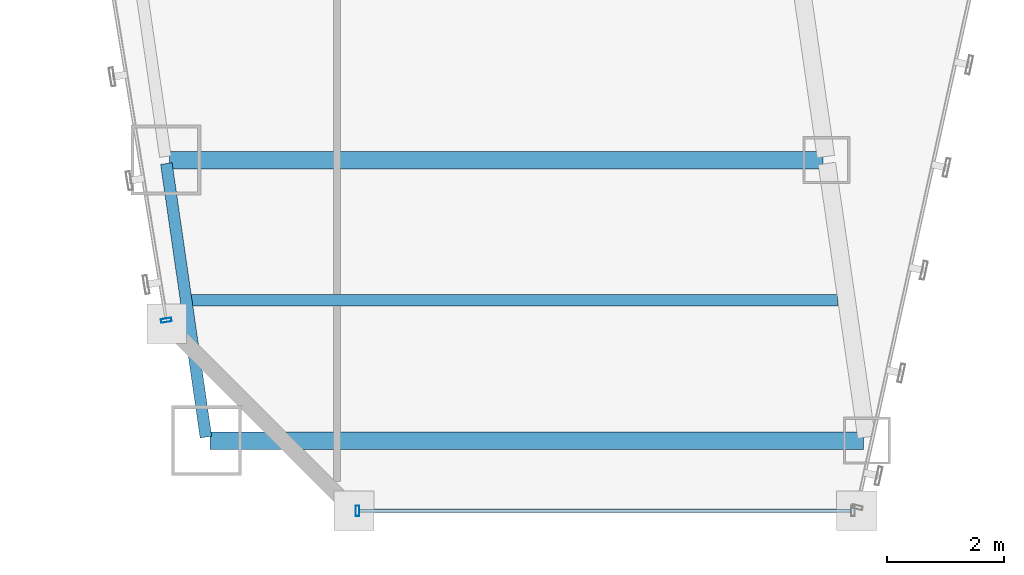
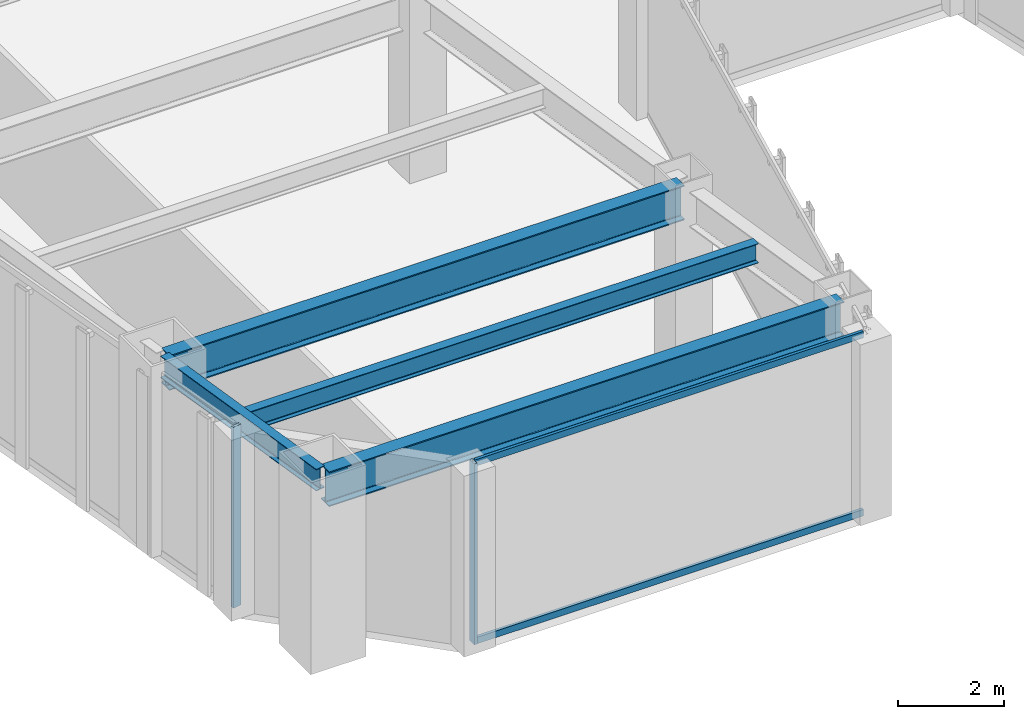
# One storey, part 4 of 47: 4 beams, 4 members, 2 elements without a shape of their own.
"""IFC4 building model written with IfcOpenShell, lengths in metres."""

from ifc_helpers import new_model, si_unit, direction, frame, origin, origin_2d, place, context, subcontext, project, spatial, hollow_rectangle, i_section, extrude, material, material_profile, profile_set, type_object, element, aggregate, save


model = new_model("IFC4")

# Units and contexts
model_context = context("Model", 3, precision=1e-05, world=origin(), true_north=direction((0.0, 1.0)))
body_context = subcontext(model_context, "Body", "Model", "MODEL_VIEW")
ifc_project = project(units=[si_unit("LENGTHUNIT", "METRE"), si_unit("AREAUNIT", "SQUARE_METRE"), si_unit("VOLUMEUNIT", "CUBIC_METRE"), si_unit("PLANEANGLEUNIT", "RADIAN"), si_unit("MASSUNIT", "GRAM", prefix="KILO")], contexts=[model_context])

# Site, building, storey
site_placement = place(None, origin())
site = spatial("IfcSite", under=ifc_project, at=site_placement, CompositionType="ELEMENT")
building_placement = place(site_placement, origin())
building = spatial("IfcBuilding", under=site, at=building_placement, Name="Saevonmaru Cultural Tower", CompositionType="ELEMENT")
storey_placement = place(building_placement, frame((0.0, 0.0, 60.39990234375)))
storey = spatial("IfcBuildingStorey", under=building, at=storey_placement, Name="L12", CompositionType="ELEMENT", Elevation=60.39990234375)

# Beams
ifc_material_1 = material(Name="Steel SM420", Category="steel")
ifc_material_profile_1 = material_profile(ifc_material_1, i_section(OverallWidth=0.300048828125, OverallDepth=0.800048828125, WebThickness=0.013916015625, FlangeThickness=0.02587890625, FilletRadius=0.028076171875, at=origin_2d()), Name="H-800x300x14x26")
ifc_profile_set_1 = profile_set([ifc_material_profile_1], Name="Steel SM420")
beam_type_1 = type_object("IfcBeamType", Name="BM-G-H800", PredefinedType="BEAM", material=ifc_profile_set_1)
for number, where, z_axis, x_axis, name in (
    (1, (12.537109375, 3.199951171875, 3.75), (1.0, 0.0, 0.0), (0.0, 1.0, 0.0), "L12 West Wing Transverse Girder 1"),
    (2, (11.843017578125, 8.0, 3.75), (1.0, 0.0, 0.0), (0.0, 1.0, 0.0), "L12 West Wing Transverse Girder 2"),
):
    element("IfcBeam", number, at=place(storey_placement, frame(where, z_axis=z_axis, x_axis=x_axis)), inside=storey, type_object=beam_type_1, Name=name, PredefinedType="BEAM", context=body_context, shape_type="SweptSolid", body=[
        extrude(i_section(OverallWidth=0.300048828125, OverallDepth=0.800048828125, WebThickness=0.013916015625, FlangeThickness=0.02587890625, FilletRadius=0.028076171875, at=origin_2d()), origin(), (0.0, 0.0, 1.0), 11.179931640625),
    ])
ifc_material_2 = material(Name="Steel SM355", Category="steel")
ifc_material_profile_2 = material_profile(ifc_material_2, i_section(OverallWidth=0.199951171875, OverallDepth=0.449951171875, WebThickness=0.009033203125, FlangeThickness=0.013916015625, FilletRadius=0.01806640625, at=origin_2d()), Name="H-450x200x9x14")
ifc_profile_set_2 = profile_set([ifc_material_profile_2], Name="Steel SM355")
beam_type_2 = type_object("IfcBeamType", Name="BM-J-H450", PredefinedType="JOIST", material=ifc_profile_set_2)
beam_1_placement = place(storey_placement, frame((12.18994140625, 5.60009765625, 3.925048828125), z_axis=(1.0, 0.0, 0.0), x_axis=(0.0, 1.0, 0.0)))
element("IfcBeam", 3, at=beam_1_placement, inside=storey, type_object=beam_type_2, Name="L12 West Wing Floor Joist 1", PredefinedType="JOIST", context=body_context, shape_type="SweptSolid", body=[
    extrude(i_section(OverallWidth=0.199951171875, OverallDepth=0.449951171875, WebThickness=0.009033203125, FlangeThickness=0.013916015625, FilletRadius=0.01806640625, at=origin_2d()), origin(), (0.0, 0.0, 1.0), 11.08203125),
])
ifc_material_profile_3 = material_profile(ifc_material_2, i_section(OverallWidth=0.199951171875, OverallDepth=0.5, WebThickness=0.010009765625, FlangeThickness=0.01611328125, FilletRadius=0.02001953125, at=origin_2d()), Name="H-500x200x10x16")
ifc_profile_set_3 = profile_set([ifc_material_profile_3], Name="Steel SM355")
beam_type_3 = type_object("IfcBeamType", Name="BM-SP-H500", PredefinedType="SPANDREL", material=ifc_profile_set_3)
beam_2_placement = place(storey_placement, frame((12.468505859375, 3.259521484375, 3.900146484375), z_axis=(-0.14313379491, 0.989703347855, 0.0), x_axis=(-0.989703347855, -0.14313379491, 0.0)))
element("IfcBeam", 4, at=beam_2_placement, inside=storey, type_object=beam_type_3, Name="L12 West Splayed Spandrel 1", PredefinedType="SPANDREL", context=body_context, shape_type="SweptSolid", body=[
    extrude(i_section(OverallWidth=0.199951171875, OverallDepth=0.5, WebThickness=0.010009765625, FlangeThickness=0.01611328125, FilletRadius=0.02001953125, at=origin_2d()), origin(), (0.0, 0.0, 1.0), 4.729736328125),
])

# Curtain wall, member
ifc_material_3 = material(Name="Satin Bronze Anodised Aluminium", Category="aluminium")
curtain_wall_type = type_object("IfcCurtainWallType", Name="CW-TYP-A", PredefinedType="NOTDEFINED", material=ifc_material_3)
curtain_wall_1_placement = place(storey_placement, origin())
curtain_wall_1 = element("IfcCurtainWall", 5, at=curtain_wall_1_placement, inside=storey, type_object=curtain_wall_type, Name="L12 Unitised Curtain Wall E2", PredefinedType="NOTDEFINED")
ifc_material_profile_4 = material_profile(ifc_material_3, hollow_rectangle(XDim=0.06494140625, YDim=0.179931640625, WallThickness=0.00390625, at=origin_2d()), Name="ALU-MULL-180x65x4")
ifc_profile_set_4 = profile_set([ifc_material_profile_4], Name="Satin Bronze Anodised Aluminium")
member_type_1 = type_object("IfcMemberType", Name="ML-CW-180x65", PredefinedType="MULLION", material=ifc_profile_set_4)
member_1_placement = place(storey_placement, frame((15.06005859375, 2.0, 0.0), z_axis=(0.0, 0.0, 1.0), x_axis=(1.0, 0.0, 0.0)))
member_1 = element("IfcMember", 6, at=member_1_placement, type_object=member_type_1, Name="CW-TW-L12-E2 mullion 1", PredefinedType="MULLION", context=body_context, shape_type="SweptSolid", body=[
    extrude(hollow_rectangle(XDim=0.06494140625, YDim=0.179931640625, WallThickness=0.00390625, at=origin_2d()), origin(), (0.0, 0.0, 1.0), 4.150146484375),
])

curtain_wall_2_placement = place(storey_placement, origin())
curtain_wall_2 = element("IfcCurtainWall", 7, at=curtain_wall_2_placement, inside=storey, type_object=curtain_wall_type, Name="L12 Unitised Curtain Wall E12", PredefinedType="NOTDEFINED")
member_2_placement = place(storey_placement, frame((11.790283203125, 5.25927734375, 0.0), z_axis=(0.0, 0.0, 1.0), x_axis=(0.161708868641, -0.986838508472, 0.0)))
member_2 = element("IfcMember", 8, at=member_2_placement, type_object=member_type_1, Name="CW-TW-L12-E12 mullion 5", PredefinedType="MULLION", context=body_context, shape_type="SweptSolid", body=[
    extrude(hollow_rectangle(XDim=0.06494140625, YDim=0.179931640625, WallThickness=0.00390625, at=origin_2d()), origin(), (0.0, 0.0, 1.0), 4.150146484375),
])
aggregate(curtain_wall_2, [member_2])

# Member
ifc_material_profile_5 = material_profile(ifc_material_3, hollow_rectangle(XDim=0.06494140625, YDim=0.14990234375, WallThickness=0.00390625, at=origin_2d()), Name="ALU-TRAN-150x65x4")
ifc_profile_set_5 = profile_set([ifc_material_profile_5], Name="Satin Bronze Anodised Aluminium")
member_type_2 = type_object("IfcMemberType", Name="TR-CW-150x65", PredefinedType="USERDEFINED", material=ifc_profile_set_5)
member_3_placement = place(storey_placement, frame((15.092529296875, 2.0, 0.03271484375), z_axis=(1.0, 0.0, 0.0), x_axis=(0.0, 1.0, 0.0)))
member_3 = element("IfcMember", 9, at=member_3_placement, type_object=member_type_2, Name="CW-TW-L12-E2 transom 1.1", ObjectType="TRANSOM", PredefinedType="USERDEFINED", context=body_context, shape_type="SweptSolid", body=[
    extrude(hollow_rectangle(XDim=0.06494140625, YDim=0.14990234375, WallThickness=0.00390625, at=origin_2d()), origin(), (0.0, 0.0, 1.0), 8.4150390625),
])

member_4_placement = place(storey_placement, frame((15.092529296875, 2.0, 4.11767578125), z_axis=(1.0, 0.0, 0.0), x_axis=(0.0, 1.0, 0.0)))
member_4 = element("IfcMember", 10, at=member_4_placement, type_object=member_type_2, Name="CW-TW-L12-E2 transom 1.2", ObjectType="TRANSOM", PredefinedType="USERDEFINED", context=body_context, shape_type="SweptSolid", body=[
    extrude(hollow_rectangle(XDim=0.06494140625, YDim=0.14990234375, WallThickness=0.00390625, at=origin_2d()), origin(), (0.0, 0.0, 1.0), 8.4150390625),
])

aggregate(curtain_wall_1, [member_1, member_3, member_4])

save(model, "model.ifc")
